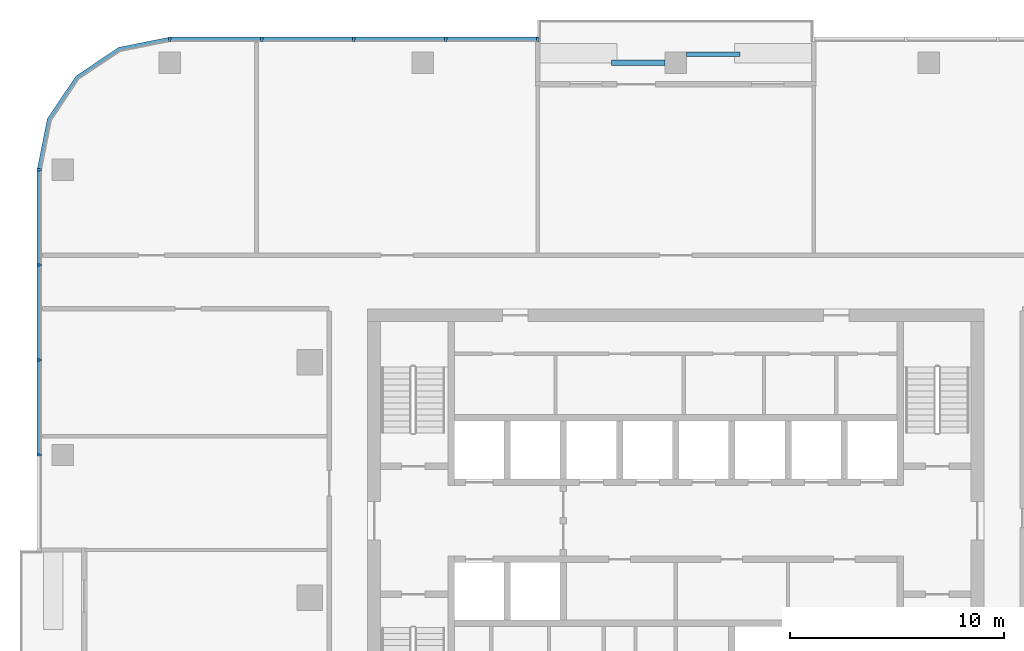
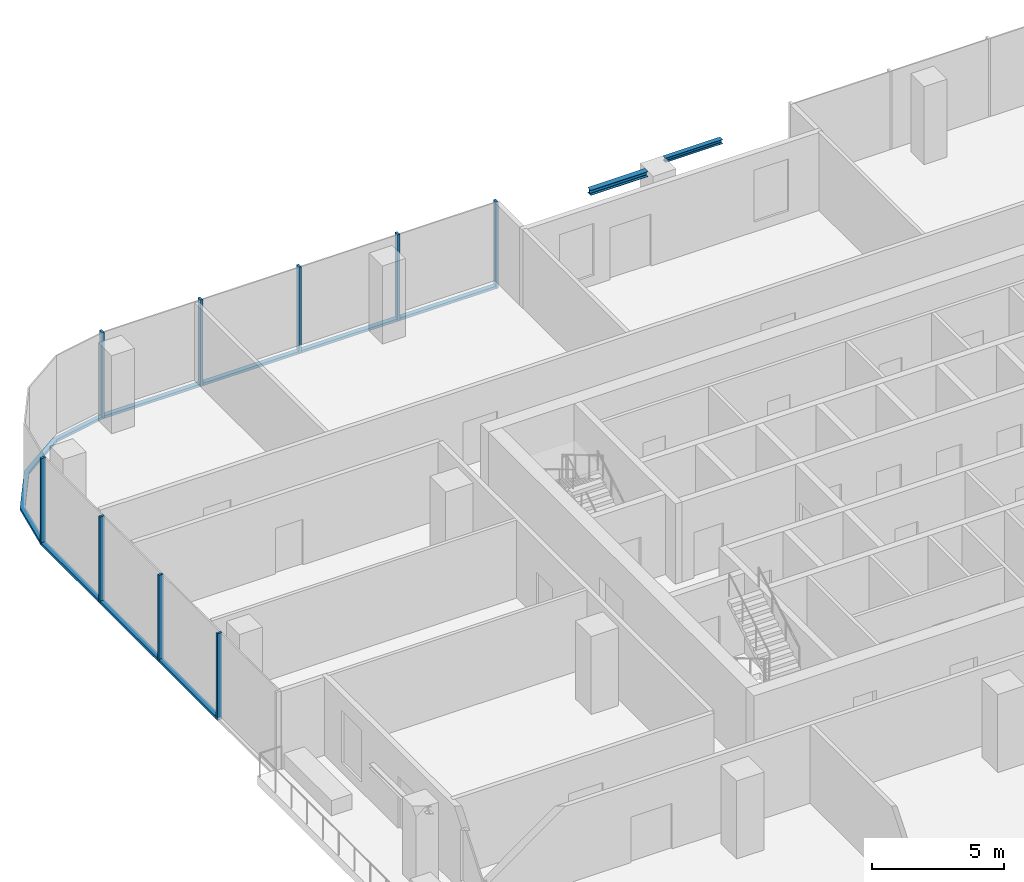
# One storey, part 4 of 13: 17 members, 2 beams, 3 elements without a shape of their own.
"""IFC4 building model written with IfcOpenShell, lengths in metres."""

from ifc_helpers import new_model, si_unit, direction, frame, origin, origin_2d, place, context, subcontext, project, spatial, polyline, rectangle, i_section, outline, extrude, material, material_profile, profile_set, type_object, element, aggregate, save


model = new_model("IFC4")

# Units and contexts
model_context = context("Model", 3, precision=1e-05, world=origin(), true_north=direction((0.0, 1.0)))
body_context = subcontext(model_context, "Body", "Model", "MODEL_VIEW")
ifc_project = project(units=[si_unit("LENGTHUNIT", "METRE"), si_unit("AREAUNIT", "SQUARE_METRE"), si_unit("VOLUMEUNIT", "CUBIC_METRE"), si_unit("PLANEANGLEUNIT", "RADIAN"), si_unit("MASSUNIT", "GRAM", prefix="KILO")], contexts=[model_context])

# Site, building, storey
site_placement = place(None, origin())
site = spatial("IfcSite", under=ifc_project, at=site_placement, CompositionType="ELEMENT")
building_placement = place(site_placement, origin())
building = spatial("IfcBuilding", under=site, at=building_placement, Name="Mopane Tessera Tower", CompositionType="ELEMENT")
storey_placement = place(building_placement, frame((0.0, 0.0, 275.39990234375)))
storey = spatial("IfcBuildingStorey", under=building, at=storey_placement, Name="L59", CompositionType="ELEMENT", Elevation=275.39990234375)

# Curtain wall, members
ifc_material_1 = material(Name="Aluminium frame", Category="aluminium")
curtain_wall_type = type_object("IfcCurtainWallType", Name="Unitised curtain wall", PredefinedType="NOTDEFINED", material=ifc_material_1)
curtain_wall_1_placement = place(storey_placement, origin())
curtain_wall_1 = element("IfcCurtainWall", 1, at=curtain_wall_1_placement, inside=storey, type_object=curtain_wall_type, Name="e:cw:L59:N:7", PredefinedType="NOTDEFINED")
ifc_material_2 = material(Name="Aluminium frame", Category="aluminium")
ifc_material_profile_1 = material_profile(ifc_material_2, rectangle(XDim=0.10009765625, YDim=0.199951171875, at=origin_2d()))
ifc_profile_set_1 = profile_set([ifc_material_profile_1], Name="Aluminium frame")
member_type_1 = type_object("IfcMemberType", Name="Aluminium mullion 100 x 200", PredefinedType="MULLION", material=ifc_profile_set_1)
member_1_placement = place(storey_placement, frame((-6.449951171875, 26.10009765625, -0.39990234375), z_axis=(0.0, 0.0, 1.0), x_axis=(-1.0, 0.0, 0.0)))
member_1 = element("IfcMember", 2, at=member_1_placement, type_object=member_type_1, Name="e:cw:L59:N:7:mu7", PredefinedType="MULLION", context=body_context, shape_type="SweptSolid", body=[
    extrude(rectangle(XDim=0.10009765625, YDim=0.199951171875, at=origin_2d()), origin(), (0.0, 0.0, 1.0), 4.0),
])
member_2_placement = place(storey_placement, frame((-10.75, 26.10009765625, -0.39990234375), z_axis=(0.0, 0.0, 1.0), x_axis=(-1.0, 0.0, 0.0)))
member_2 = element("IfcMember", 3, at=member_2_placement, type_object=member_type_1, Name="e:cw:L59:N:7:mu8", PredefinedType="MULLION", context=body_context, shape_type="SweptSolid", body=[
    extrude(rectangle(XDim=0.10009765625, YDim=0.199951171875, at=origin_2d()), origin(), (0.0, 0.0, 1.0), 4.0),
])
member_3_placement = place(storey_placement, frame((-15.050048828125, 26.10009765625, -0.39990234375), z_axis=(0.0, 0.0, 1.0), x_axis=(-1.0, 0.0, 0.0)))
member_3 = element("IfcMember", 4, at=member_3_placement, type_object=member_type_1, Name="e:cw:L59:N:7:mu9", PredefinedType="MULLION", context=body_context, shape_type="SweptSolid", body=[
    extrude(rectangle(XDim=0.10009765625, YDim=0.199951171875, at=origin_2d()), origin(), (0.0, 0.0, 1.0), 4.0),
])
member_4_placement = place(storey_placement, frame((-19.35009765625, 26.10009765625, -0.39990234375), z_axis=(0.0, 0.0, 1.0), x_axis=(-1.0, 0.0, 0.0)))
member_4 = element("IfcMember", 5, at=member_4_placement, type_object=member_type_1, Name="e:cw:L59:N:7:mu10", PredefinedType="MULLION", context=body_context, shape_type="SweptSolid", body=[
    extrude(rectangle(XDim=0.10009765625, YDim=0.199951171875, at=origin_2d()), origin(), (0.0, 0.0, 1.0), 4.0),
])
member_5_placement = place(storey_placement, frame((-23.64990234375, 26.10009765625, -0.39990234375), z_axis=(0.0, 0.0, 1.0), x_axis=(-1.0, 0.0, 0.0)))
member_5 = element("IfcMember", 6, at=member_5_placement, type_object=member_type_1, Name="e:cw:L59:N:7:mu11", PredefinedType="MULLION", context=body_context, shape_type="SweptSolid", body=[
    extrude(rectangle(XDim=0.10009765625, YDim=0.199951171875, at=origin_2d()), origin(), (0.0, 0.0, 1.0), 4.0),
])

curtain_wall_2_placement = place(storey_placement, origin())
curtain_wall_2 = element("IfcCurtainWall", 7, at=curtain_wall_2_placement, inside=storey, type_object=curtain_wall_type, Name="e:cw:L59:W:0", PredefinedType="NOTDEFINED")
member_6_placement = place(storey_placement, frame((-29.75, 20.0, -0.39990234375), z_axis=(0.0, 0.0, 1.0), x_axis=(0.0, -1.0, 0.0)))
member_6 = element("IfcMember", 8, at=member_6_placement, type_object=member_type_1, Name="e:cw:L59:W:0:mu0", PredefinedType="MULLION", context=body_context, shape_type="SweptSolid", body=[
    extrude(rectangle(XDim=0.10009765625, YDim=0.199951171875, at=origin_2d()), origin(), (0.0, 0.0, 1.0), 4.0),
])
member_7_placement = place(storey_placement, frame((-29.75, 15.5556640625, -0.39990234375), z_axis=(0.0, 0.0, 1.0), x_axis=(0.0, -1.0, 0.0)))
member_7 = element("IfcMember", 9, at=member_7_placement, type_object=member_type_1, Name="e:cw:L59:W:0:mu1", PredefinedType="MULLION", context=body_context, shape_type="SweptSolid", body=[
    extrude(rectangle(XDim=0.10009765625, YDim=0.199951171875, at=origin_2d()), origin(), (0.0, 0.0, 1.0), 4.0),
])
member_8_placement = place(storey_placement, frame((-29.75, 11.111083984375, -0.39990234375), z_axis=(0.0, 0.0, 1.0), x_axis=(0.0, -1.0, 0.0)))
member_8 = element("IfcMember", 10, at=member_8_placement, type_object=member_type_1, Name="e:cw:L59:W:0:mu2", PredefinedType="MULLION", context=body_context, shape_type="SweptSolid", body=[
    extrude(rectangle(XDim=0.10009765625, YDim=0.199951171875, at=origin_2d()), origin(), (0.0, 0.0, 1.0), 4.0),
])
member_9_placement = place(storey_placement, frame((-29.75, 6.666748046875, -0.39990234375), z_axis=(0.0, 0.0, 1.0), x_axis=(0.0, -1.0, 0.0)))
member_9 = element("IfcMember", 11, at=member_9_placement, type_object=member_type_1, Name="e:cw:L59:W:0:mu3", PredefinedType="MULLION", context=body_context, shape_type="SweptSolid", body=[
    extrude(rectangle(XDim=0.10009765625, YDim=0.199951171875, at=origin_2d()), origin(), (0.0, 0.0, 1.0), 4.0),
])

# Member
ifc_material_3 = material(Name="Aluminium frame", Category="aluminium")
ifc_material_profile_2 = material_profile(ifc_material_3, rectangle(XDim=0.199951171875, YDim=0.1201171875, at=origin_2d()))
ifc_profile_set_2 = profile_set([ifc_material_profile_2], Name="Aluminium frame")
member_type_2 = type_object("IfcMemberType", Name="Aluminium transom 200 x 120", PredefinedType="USERDEFINED", material=ifc_profile_set_2)
member_10_placement = place(storey_placement, frame((-6.5, 26.10009765625, -0.33984375), z_axis=(-1.0, 0.0, 0.0), x_axis=(0.0, -1.0, 0.0)))
member_10 = element("IfcMember", 12, at=member_10_placement, type_object=member_type_2, Name="e:cw:L59:N:7:tr7", ObjectType="TRANSOM", PredefinedType="USERDEFINED", context=body_context, shape_type="SweptSolid", body=[
    extrude(rectangle(XDim=0.199951171875, YDim=0.1201171875, at=origin_2d()), origin(), (0.0, 0.0, 1.0), 4.199951171875),
])

member_11_placement = place(storey_placement, frame((-10.800048828125, 26.10009765625, -0.33984375), z_axis=(-1.0, 0.0, 0.0), x_axis=(0.0, -1.0, 0.0)))
member_11 = element("IfcMember", 13, at=member_11_placement, type_object=member_type_2, Name="e:cw:L59:N:7:tr8", ObjectType="TRANSOM", PredefinedType="USERDEFINED", context=body_context, shape_type="SweptSolid", body=[
    extrude(rectangle(XDim=0.199951171875, YDim=0.1201171875, at=origin_2d()), origin(), (0.0, 0.0, 1.0), 4.199951171875),
])

member_12_placement = place(storey_placement, frame((-15.10009765625, 26.10009765625, -0.33984375), z_axis=(-1.0, 0.0, 0.0), x_axis=(0.0, -1.0, 0.0)))
member_12 = element("IfcMember", 14, at=member_12_placement, type_object=member_type_2, Name="e:cw:L59:N:7:tr9", ObjectType="TRANSOM", PredefinedType="USERDEFINED", context=body_context, shape_type="SweptSolid", body=[
    extrude(rectangle(XDim=0.199951171875, YDim=0.1201171875, at=origin_2d()), origin(), (0.0, 0.0, 1.0), 4.199951171875),
])

member_13_placement = place(storey_placement, frame((-19.39990234375, 26.10009765625, -0.33984375), z_axis=(-1.0, 0.0, 0.0), x_axis=(0.0, -1.0, 0.0)))
member_13 = element("IfcMember", 15, at=member_13_placement, type_object=member_type_2, Name="e:cw:L59:N:7:tr10", ObjectType="TRANSOM", PredefinedType="USERDEFINED", context=body_context, shape_type="SweptSolid", body=[
    extrude(rectangle(XDim=0.199951171875, YDim=0.1201171875, at=origin_2d()), origin(), (0.0, 0.0, 1.0), 4.2001953125),
])

aggregate(curtain_wall_1, [member_1, member_2, member_3, member_4, member_5, member_10, member_11, member_12, member_13])

# Curtain wall, member
curtain_wall_3_placement = place(storey_placement, origin())
curtain_wall_3 = element("IfcCurtainWall", 16, at=curtain_wall_3_placement, inside=storey, type_object=curtain_wall_type, Name="e:cw:L59:CN", PredefinedType="NOTDEFINED")
member_14_placement = place(storey_placement, frame((0.0, 0.0, -0.39990234375)))
member_14 = element("IfcMember", 17, at=member_14_placement, type_object=member_type_2, Name="e:cw:L59:CN:tr", ObjectType="TRANSOM", PredefinedType="USERDEFINED", context=body_context, shape_type="SweptSolid", body=[
    extrude(outline(polyline([(-23.64990234375, 26.0), (-25.946044921875, 25.543212890625), (-27.892578125, 24.24267578125), (-29.193359375, 22.296142578125), (-29.64990234375, 20.0), (-29.85009765625, 20.0), (-29.378173828125, 22.37255859375), (-28.0341796875, 24.384033203125), (-26.022705078125, 25.72802734375), (-23.64990234375, 26.199951171875), (-23.64990234375, 26.0)])), origin(), (0.0, 0.0, 1.0), 0.1201171875),
])
aggregate(curtain_wall_3, [member_14])

# Member
member_15_placement = place(storey_placement, frame((-29.75, 19.949951171875, -0.33984375), z_axis=(0.0, -1.0, 0.0), x_axis=(1.0, 0.0, 0.0)))
member_15 = element("IfcMember", 18, at=member_15_placement, type_object=member_type_2, Name="e:cw:L59:W:0:tr0", ObjectType="TRANSOM", PredefinedType="USERDEFINED", context=body_context, shape_type="SweptSolid", body=[
    extrude(rectangle(XDim=0.199951171875, YDim=0.1201171875, at=origin_2d()), origin(), (0.0, 0.0, 1.0), 4.344482421875),
])

member_16_placement = place(storey_placement, frame((-29.75, 15.505615234375, -0.33984375), z_axis=(0.0, -1.0, 0.0), x_axis=(1.0, 0.0, 0.0)))
member_16 = element("IfcMember", 19, at=member_16_placement, type_object=member_type_2, Name="e:cw:L59:W:0:tr1", ObjectType="TRANSOM", PredefinedType="USERDEFINED", context=body_context, shape_type="SweptSolid", body=[
    extrude(rectangle(XDim=0.199951171875, YDim=0.1201171875, at=origin_2d()), origin(), (0.0, 0.0, 1.0), 4.344482421875),
])

member_17_placement = place(storey_placement, frame((-29.75, 11.06103515625, -0.33984375), z_axis=(0.0, -1.0, 0.0), x_axis=(1.0, 0.0, 0.0)))
member_17 = element("IfcMember", 20, at=member_17_placement, type_object=member_type_2, Name="e:cw:L59:W:0:tr2", ObjectType="TRANSOM", PredefinedType="USERDEFINED", context=body_context, shape_type="SweptSolid", body=[
    extrude(rectangle(XDim=0.199951171875, YDim=0.1201171875, at=origin_2d()), origin(), (0.0, 0.0, 1.0), 4.344482421875),
])

aggregate(curtain_wall_2, [member_6, member_7, member_8, member_9, member_15, member_16, member_17])

# Beams
ifc_material_4 = material(Name="Structural steel S460", Category="steel")
ifc_material_profile_3 = material_profile(ifc_material_4, i_section(OverallWidth=0.239990234375, OverallDepth=0.239990234375, WebThickness=0.010009765625, FlangeThickness=0.01708984375, FilletRadius=0.02099609375, at=origin_2d()))
ifc_profile_set_3 = profile_set([ifc_material_profile_3], Name="Structural steel S460")
beam_type_1 = type_object("IfcBeamType", Name="Terrace spandrel beam HE 240 B", PredefinedType="SPANDREL", material=ifc_profile_set_3)
beam_1_placement = place(storey_placement, frame((-0.5029296875, 25.0, 3.47998046875), z_axis=(-1.0, 0.0, 0.0), x_axis=(0.0, -1.0, 0.0)))
element("IfcBeam", 21, at=beam_1_placement, inside=storey, type_object=beam_type_1, Name="Terrace spandrel beam N2 L60", PredefinedType="SPANDREL", context=body_context, shape_type="SweptSolid", body=[
    extrude(i_section(OverallWidth=0.239990234375, OverallDepth=0.239990234375, WebThickness=0.010009765625, FlangeThickness=0.01708984375, FilletRadius=0.02099609375, at=origin_2d()), origin(), (0.0, 0.0, 1.0), 2.5),
])
ifc_material_5 = material(Name="Structural steel S460", Category="steel")
ifc_material_profile_4 = material_profile(ifc_material_5, i_section(OverallWidth=0.199951171875, OverallDepth=0.199951171875, WebThickness=0.009033203125, FlangeThickness=0.014892578125, FilletRadius=0.01806640625, at=origin_2d()))
ifc_profile_set_4 = profile_set([ifc_material_profile_4], Name="Structural steel S460")
beam_type_2 = type_object("IfcBeamType", Name="Terrace trimmer beam HE 200 B", PredefinedType="BEAM", material=ifc_profile_set_4)
beam_2_placement = place(storey_placement, frame((0.5029296875, 25.39990234375, 3.5), z_axis=(1.0, 0.0, 0.0), x_axis=(0.0, 1.0, 0.0)))
element("IfcBeam", 22, at=beam_2_placement, inside=storey, type_object=beam_type_2, Name="Terrace trimmer beam N2 L60", PredefinedType="BEAM", context=body_context, shape_type="SweptSolid", body=[
    extrude(i_section(OverallWidth=0.199951171875, OverallDepth=0.199951171875, WebThickness=0.009033203125, FlangeThickness=0.014892578125, FilletRadius=0.01806640625, at=origin_2d()), origin(), (0.0, 0.0, 1.0), 2.5),
])

save(model, "model.ifc")
